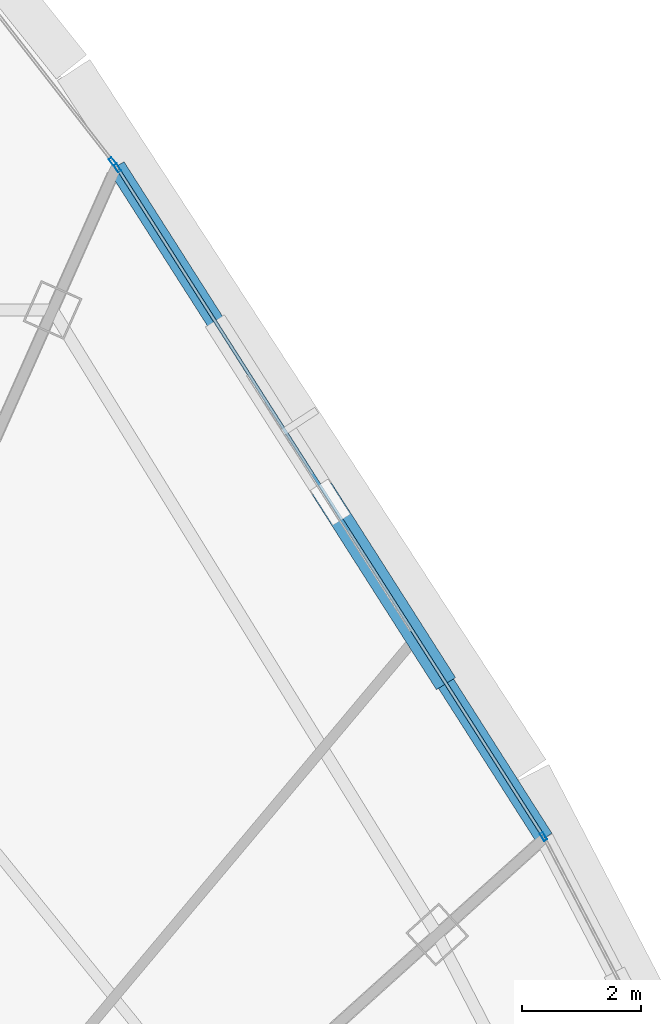
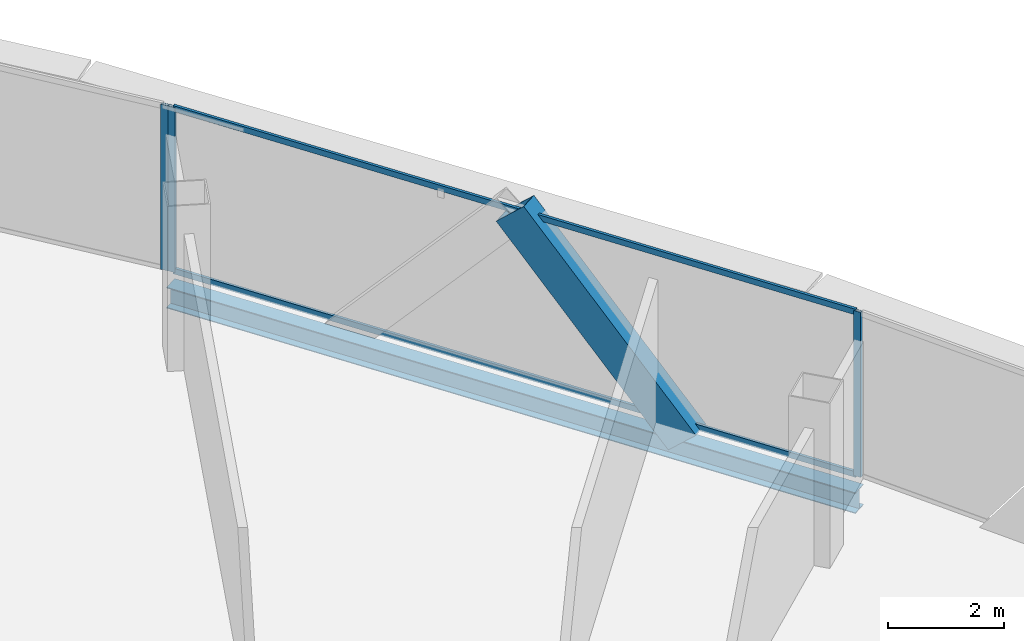
# One storey, part 26 of 40: 6 members, 1 beam, 2 elements without a shape of their own.
"""IFC4 building model written with IfcOpenShell, lengths in metres."""

from ifc_helpers import new_model, si_unit, direction, frame, origin, origin_2d, place, context, subcontext, project, spatial, hollow_rectangle, i_section, extrude, source, transform, mapped, material, layer, layer_set, material_profile, profile_set, type_object, element, aggregate, save


model = new_model("IFC4")

# Units and contexts
model_context = context("Model", 3, precision=1e-05, world=origin(), true_north=direction((0.0, 1.0)))
body_context = subcontext(model_context, "Body", "Model", "MODEL_VIEW")
ifc_project = project(units=[si_unit("LENGTHUNIT", "METRE"), si_unit("AREAUNIT", "SQUARE_METRE"), si_unit("VOLUMEUNIT", "CUBIC_METRE"), si_unit("PLANEANGLEUNIT", "RADIAN"), si_unit("MASSUNIT", "GRAM", prefix="KILO"), si_unit("THERMODYNAMICTEMPERATUREUNIT", "KELVIN"), si_unit("POWERUNIT", "WATT")], contexts=[model_context])

# Site, building, storey
site_placement = place(None, origin())
site = spatial("IfcSite", under=ifc_project, at=site_placement, CompositionType="ELEMENT")
building_placement = place(site_placement, origin())
building = spatial("IfcBuilding", under=site, at=building_placement, Name="Yunzhuo Pagoda Commons", CompositionType="ELEMENT")
storey_placement = place(building_placement, frame((0.0, 0.0, 292.47998046875)))
storey = spatial("IfcBuildingStorey", under=building, at=storey_placement, Name="L73", CompositionType="ELEMENT", Elevation=292.47998046875)

# Beam
ifc_material_1 = material(Name="Structural steel Q355B", Category="steel")
ifc_material_profile_1 = material_profile(ifc_material_1, i_section(OverallWidth=0.300048828125, OverallDepth=0.43994140625, WebThickness=0.010986328125, FlangeThickness=0.01806640625, at=origin_2d()), Name="Structural steel Q355B")
ifc_profile_set_1 = profile_set([ifc_material_profile_1], Name="Structural steel Q355B")
beam_type = type_object("IfcBeamType", Name="B-SP2 Beam HM 440x300x11x18", PredefinedType="BEAM", material=ifc_profile_set_1)
shared_shape_1 = source(origin(), body_context, "Body", "SweptSolid", [
    extrude(i_section(OverallWidth=0.300048828125, OverallDepth=0.43994140625, WebThickness=0.010986328125, FlangeThickness=0.01806640625, at=origin_2d()), origin(), (0.0, 0.0, 1.0), 13.37060546875),
])
beam_placement = place(storey_placement, frame((68.372802734375, 52.043701171875, -0.47998046875), z_axis=(-0.537394066708, 0.843331261763, 0.0), x_axis=(-0.843331261763, -0.537394066708, 0.0)))
element("IfcBeam", 1, at=beam_placement, inside=storey, type_object=beam_type, Name="L73 facade edge spandrel beam F2.3", PredefinedType="BEAM", context=body_context, shape_type="MappedRepresentation", body=[
    mapped(shared_shape_1, transform((0.0, 0.0, 0.0), scale=1.0)),
])

# Member
ifc_material_profile_2 = material_profile(ifc_material_1, hollow_rectangle(XDim=0.3798828125, YDim=0.719970703125, WallThickness=0.02001953125, at=origin_2d()), Name="Structural steel Q355B")
ifc_profile_set_2 = profile_set([ifc_material_profile_2], Name="Structural steel Q355B")
member_type_1 = type_object("IfcMemberType", Name="M-DL3 Brace BOX 720x380x20", PredefinedType="BRACE", material=ifc_profile_set_2)
shared_shape_2 = source(origin(), body_context, "Body", "SweptSolid", [
    extrude(hollow_rectangle(XDim=0.3798828125, YDim=0.719970703125, WallThickness=0.02001953125, at=origin_2d()), origin(), (0.0, 0.0, 1.0), 5.008544921875),
])
member_1_placement = place(storey_placement, frame((66.576416015625, 54.86279296875, -0.260009765625), z_axis=(-0.358663395256, 0.562806137759, 0.744721303713), x_axis=(-0.843312439259, -0.537423603678, 0.0)))
element("IfcMember", 2, at=member_1_placement, inside=storey, type_object=member_type_1, Name="L73 facade diamond brace F2.3L", PredefinedType="BRACE", context=body_context, shape_type="MappedRepresentation", body=[
    mapped(shared_shape_2, transform((0.0, 0.0, 0.0), scale=1.0)),
])

# Curtain wall, members
ifc_material_2 = material(Name="Anodized aluminium 6063-T6", Category="aluminium")
ifc_layer = layer(ifc_material_2, 0.139892578125)
ifc_layer_set = layer_set([ifc_layer], Name="Anodized aluminium 6063-T6")
curtain_wall_type = type_object("IfcCurtainWallType", Name="CW-HI High-Zone Ribbon Curtain Wall", PredefinedType="NOTDEFINED", material=ifc_layer_set)
curtain_wall_1_placement = place(storey_placement, origin())
curtain_wall_1 = element("IfcCurtainWall", 3, at=curtain_wall_1_placement, inside=storey, type_object=curtain_wall_type, Name="L73 curtain wall CW-L73-F2B4", PredefinedType="NOTDEFINED")
ifc_material_profile_3 = material_profile(ifc_material_2, hollow_rectangle(XDim=0.06005859375, YDim=0.139892578125, WallThickness=0.00341796875, at=origin_2d()), Name="Anodized aluminium 6063-T6")
ifc_profile_set_3 = profile_set([ifc_material_profile_3], Name="Anodized aluminium 6063-T6")
member_type_2 = type_object("IfcMemberType", Name="CW-HI-M Mullion RHS 140x60x3.5", PredefinedType="MULLION", material=ifc_profile_set_3)
shared_shape_3 = source(origin(), body_context, "Body", "SweptSolid", [
    extrude(hollow_rectangle(XDim=0.06005859375, YDim=0.139892578125, WallThickness=0.00341796875, at=origin_2d()), origin(), (0.0, 0.0, 1.0), 3.4697265625),
])
member_2_placement = place(storey_placement, frame((68.35693359375, 52.069091796875, 0.000244140625), z_axis=(0.0, 0.0, 1.0), x_axis=(-0.84332965014, -0.537396595816, 0.0)))
member_2 = element("IfcMember", 4, at=member_2_placement, type_object=member_type_2, Name="CW mullion 1", PredefinedType="MULLION", context=body_context, shape_type="MappedRepresentation", body=[
    mapped(shared_shape_3, transform((0.0, 0.0, 0.0), scale=1.0)),
])
member_3_placement = place(storey_placement, frame((61.20361328125, 63.29443359375, 0.000244140625), z_axis=(0.0, 0.0, 1.0), x_axis=(-0.84332965014, -0.537396595816, 0.0)))
member_3 = element("IfcMember", 5, at=member_3_placement, type_object=member_type_2, Name="CW mullion 2", PredefinedType="MULLION", context=body_context, shape_type="MappedRepresentation", body=[
    mapped(shared_shape_3, transform((0.0, 0.0, 0.0), scale=1.0)),
])

# Curtain wall, member
curtain_wall_2_placement = place(storey_placement, origin())
curtain_wall_2 = element("IfcCurtainWall", 6, at=curtain_wall_2_placement, inside=storey, type_object=curtain_wall_type, Name="L73 curtain wall CW-L73-F2B5", PredefinedType="NOTDEFINED")
member_4_placement = place(storey_placement, frame((61.123046875, 63.402587890625, 0.000244140625), z_axis=(0.0, 0.0, 1.0), x_axis=(-0.789102923127, -0.614261000482, 0.0)))
member_4 = element("IfcMember", 7, at=member_4_placement, type_object=member_type_2, Name="CW mullion 1", PredefinedType="MULLION", context=body_context, shape_type="MappedRepresentation", body=[
    mapped(shared_shape_3, transform((0.0, 0.0, 0.0), scale=1.0)),
])
aggregate(curtain_wall_2, [member_4])

# Member
ifc_material_profile_4 = material_profile(ifc_material_2, hollow_rectangle(XDim=0.054931640625, YDim=0.1201171875, WallThickness=0.00341796875, at=origin_2d()), Name="Anodized aluminium 6063-T6")
ifc_profile_set_4 = profile_set([ifc_material_profile_4], Name="Anodized aluminium 6063-T6")
member_type_3 = type_object("IfcMemberType", Name="CW-HI-T Transom RHS 120x55x3.5", PredefinedType="USERDEFINED", material=ifc_profile_set_4)
shared_shape_4 = source(origin(), body_context, "Body", "SweptSolid", [
    extrude(hollow_rectangle(XDim=0.054931640625, YDim=0.1201171875, WallThickness=0.00341796875, at=origin_2d()), origin(), (0.0, 0.0, 1.0), 13.25048828125),
])
member_5_placement = place(storey_placement, frame((68.340576171875, 52.094482421875, 0.027587890625), z_axis=(-0.537399957032, 0.843327508256, 0.0), x_axis=(-0.843327508256, -0.537399957032, 0.0)))
member_5 = element("IfcMember", 8, at=member_5_placement, type_object=member_type_3, Name="CW transom 1.1", ObjectType="TRANSOM", PredefinedType="USERDEFINED", context=body_context, shape_type="MappedRepresentation", body=[
    mapped(shared_shape_4, transform((0.0, 0.0, 0.0), scale=1.0)),
])

member_6_placement = place(storey_placement, frame((68.340576171875, 52.094482421875, 3.442626953125), z_axis=(-0.537399957032, 0.843327508256, 0.0), x_axis=(-0.843327508256, -0.537399957032, 0.0)))
member_6 = element("IfcMember", 9, at=member_6_placement, type_object=member_type_3, Name="CW transom 1.2", ObjectType="TRANSOM", PredefinedType="USERDEFINED", context=body_context, shape_type="MappedRepresentation", body=[
    mapped(shared_shape_4, transform((0.0, 0.0, 0.0), scale=1.0)),
])

aggregate(curtain_wall_1, [member_2, member_3, member_5, member_6])

save(model, "model.ifc")
